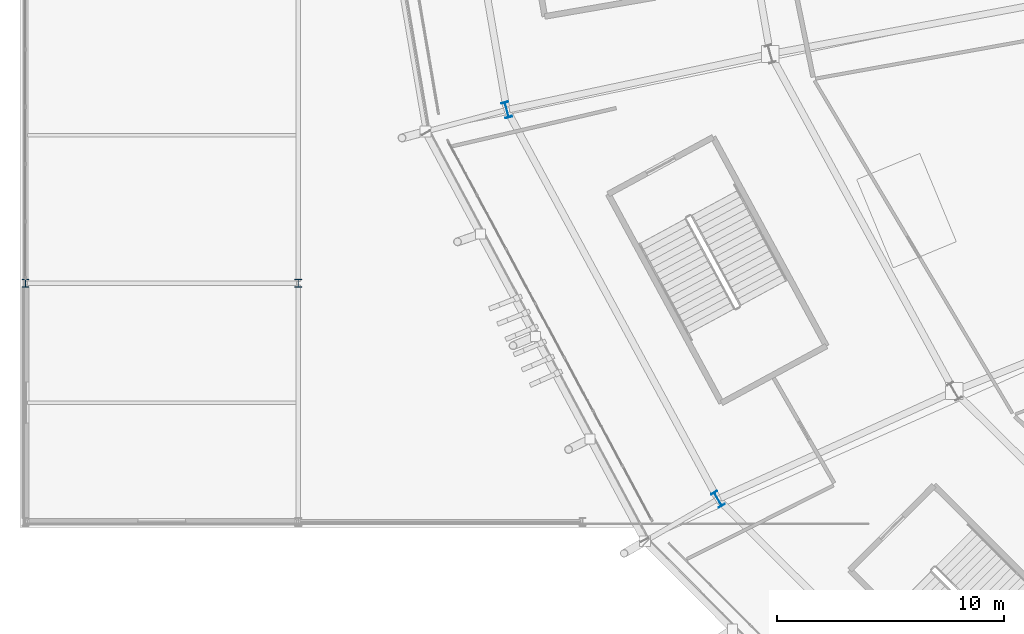
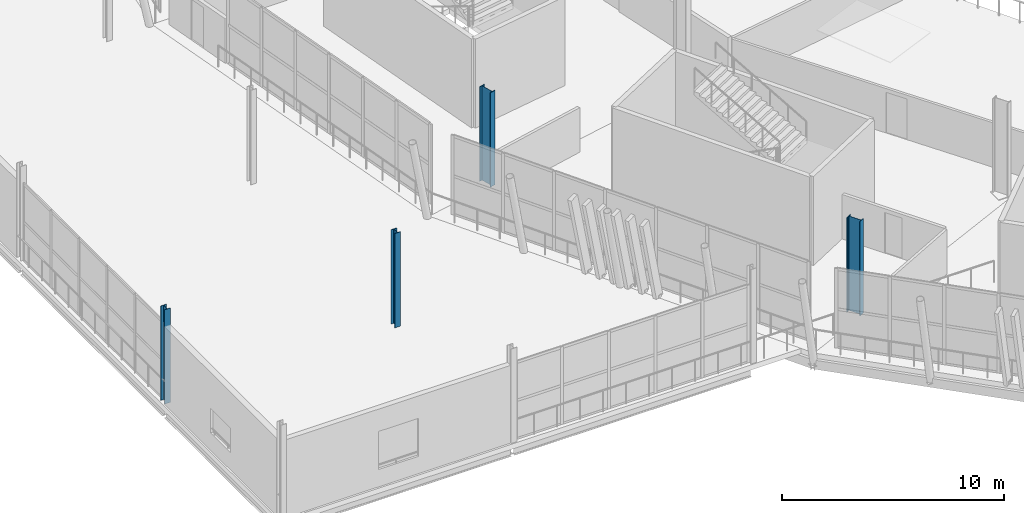
# One storey, part 2 of 168: 4 columns.
"""IFC4 building model written with IfcOpenShell, lengths in metres."""

from ifc_helpers import new_model, si_unit, direction, frame, origin, origin_2d, place, context, subcontext, project, spatial, i_section, extrude, material, material_profile, profile_set, type_object, element, save


model = new_model("IFC4")

# Units and contexts
model_context = context("Model", 3, precision=1e-05, world=origin(), true_north=direction((0.0, 1.0)))
body_context = subcontext(model_context, "Body", "Model", "MODEL_VIEW")
ifc_project = project(units=[si_unit("LENGTHUNIT", "METRE"), si_unit("AREAUNIT", "SQUARE_METRE"), si_unit("VOLUMEUNIT", "CUBIC_METRE"), si_unit("PLANEANGLEUNIT", "RADIAN"), si_unit("MASSUNIT", "GRAM", prefix="KILO")], contexts=[model_context])

# Site, building, storey
site_placement = place(None, origin())
site = spatial("IfcSite", under=ifc_project, at=site_placement, CompositionType="ELEMENT")
building_placement = place(site_placement, origin())
building = spatial("IfcBuilding", under=site, at=building_placement, Name="Zlatoyarsky Gate Stadium", CompositionType="ELEMENT")
storey_placement = place(building_placement, frame((0.0, 0.0, 15.60009765625)))
storey = spatial("IfcBuildingStorey", under=building, at=storey_placement, Name="L03", CompositionType="ELEMENT", Elevation=15.60009765625)

# Columns
ifc_material = material(Name="Steel S355", Category="steel")
ifc_material_profile_1 = material_profile(ifc_material, i_section(OverallWidth=0.300048828125, OverallDepth=0.360107421875, WebThickness=0.012451171875, FlangeThickness=0.0224609375, FilletRadius=0.027099609375, at=origin_2d()), Name="HEB 360")
ifc_profile_set_1 = profile_set([ifc_material_profile_1], Name="Steel S355")
column_type_1 = type_object("IfcColumnType", Name="STEEL COLUMN HEB 360", PredefinedType="COLUMN", material=ifc_profile_set_1)
for number, where, z_axis, x_axis, name in (
    (1, (0.0, 54.0, 0.0), (0.0, 0.0, 1.0), (1.0, 0.0, 0.0), "Column ST-C360 WG-1-F on L03"),
    (2, (12.0, 54.0, 0.0), (0.0, 0.0, 1.0), (1.0, 0.0, 0.0), "Column ST-C360 WG-2-F on L03"),
):
    element("IfcColumn", number, at=place(storey_placement, frame(where, z_axis=z_axis, x_axis=x_axis)), inside=storey, type_object=column_type_1, Name=name, PredefinedType="COLUMN", context=body_context, shape_type="SweptSolid", body=[
        extrude(i_section(OverallWidth=0.300048828125, OverallDepth=0.360107421875, WebThickness=0.012451171875, FlangeThickness=0.0224609375, FilletRadius=0.027099609375, at=origin_2d()), origin(), (0.0, 0.0, 1.0), 5.199951171875),
    ])
ifc_material_profile_2 = material_profile(ifc_material, i_section(OverallWidth=0.300048828125, OverallDepth=0.699951171875, WebThickness=0.01708984375, FlangeThickness=0.031982421875, FilletRadius=0.027099609375, at=origin_2d()), Name="HEB 700")
ifc_profile_set_2 = profile_set([ifc_material_profile_2], Name="Steel S355")
column_type_2 = type_object("IfcColumnType", Name="STEEL COLUMN HEB 700", PredefinedType="COLUMN", material=ifc_profile_set_2)
for number, where, z_axis, x_axis, name in (
    (3, (21.1689453125, 61.623779296875, 0.0), (0.0, 0.0, 1.0), (-0.965925826289, -0.258819045103, 0.0), "Column ST-C700 RC-13 on L03"),
    (4, (30.459716796875, 44.5, 0.0), (0.0, 0.0, 1.0), (-0.866025403784, -0.5, 0.0), "Column ST-C700 RC-14 on L03"),
):
    element("IfcColumn", number, at=place(storey_placement, frame(where, z_axis=z_axis, x_axis=x_axis)), inside=storey, type_object=column_type_2, Name=name, PredefinedType="COLUMN", context=body_context, shape_type="SweptSolid", body=[
        extrude(i_section(OverallWidth=0.300048828125, OverallDepth=0.699951171875, WebThickness=0.01708984375, FlangeThickness=0.031982421875, FilletRadius=0.027099609375, at=origin_2d()), origin(), (0.0, 0.0, 1.0), 5.199951171875),
    ])

save(model, "model.ifc")
